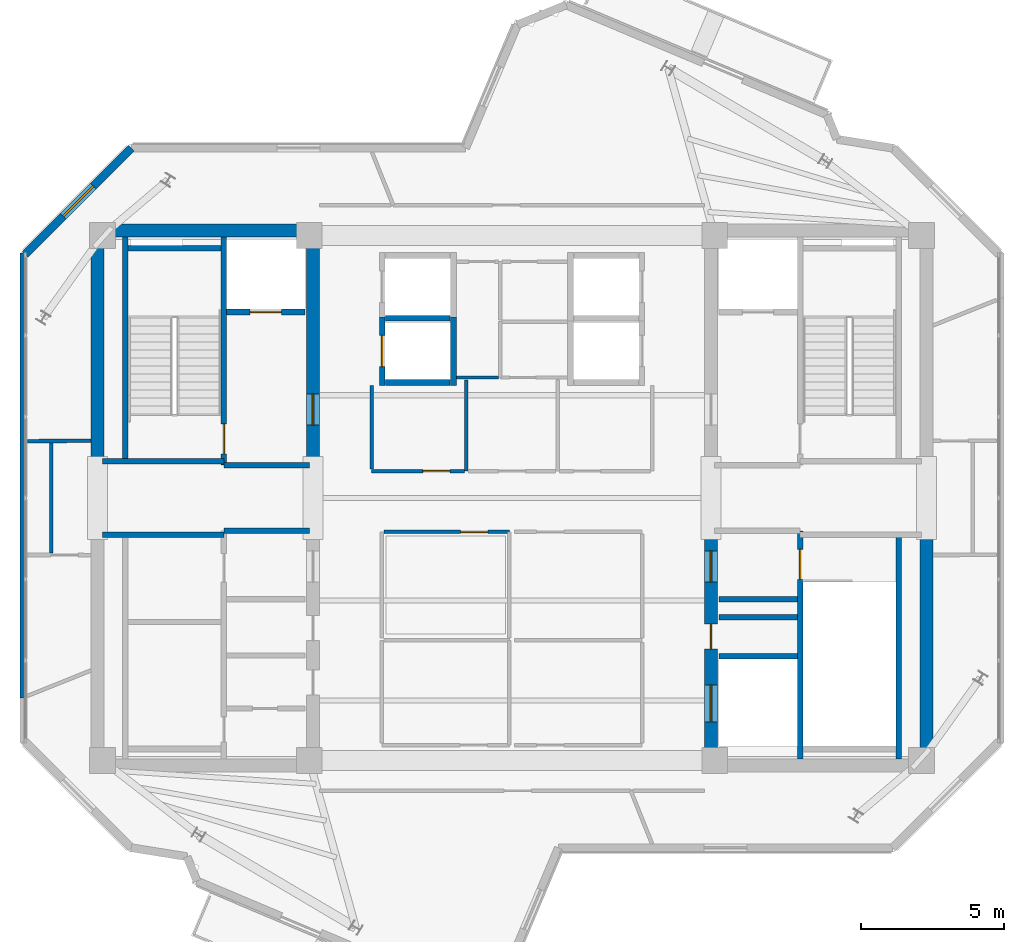
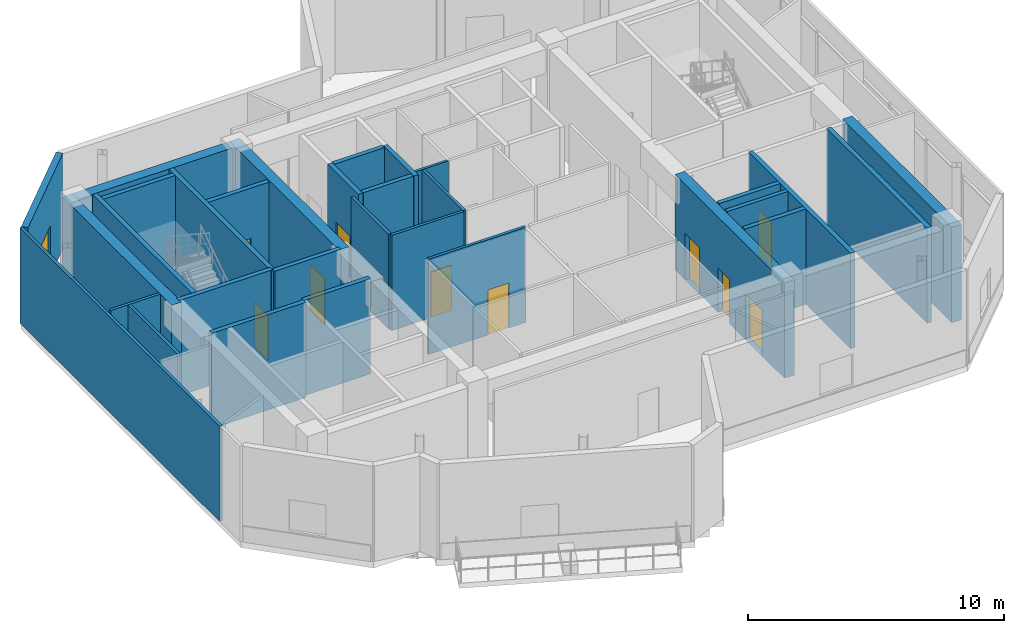
# One storey, part 7 of 11: 31 walls, 10 doors, 1 window, 11 openings.
"""IFC4 building model written with IfcOpenShell, lengths in metres."""

from ifc_helpers import new_model, si_unit, direction, frame, frame_2d, origin, place, context, subcontext, project, spatial, rectangle, extrude, source, transform, mapped, material, layer, layer_set, type_object, element, fill, save


model = new_model("IFC4")

# Units and contexts
model_context = context("Model", 3, precision=1e-05, world=origin(), true_north=direction((0.0, 1.0)))
body_context = subcontext(model_context, "Body", "Model", "MODEL_VIEW")
ifc_project = project(units=[si_unit("LENGTHUNIT", "METRE"), si_unit("AREAUNIT", "SQUARE_METRE"), si_unit("VOLUMEUNIT", "CUBIC_METRE"), si_unit("PLANEANGLEUNIT", "RADIAN"), si_unit("MASSUNIT", "GRAM", prefix="KILO")], contexts=[model_context])

# Site, building, storey
site_placement = place(None, origin())
site = spatial("IfcSite", under=ifc_project, at=site_placement, CompositionType="ELEMENT")
building_placement = place(site_placement, origin())
building = spatial("IfcBuilding", under=site, at=building_placement, Name="Zahravan Cultural Tower", CompositionType="ELEMENT")
storey_placement = place(building_placement, frame((0.0, 0.0, 365.85009765625)))
storey = spatial("IfcBuildingStorey", under=building, at=storey_placement, Name="L89", CompositionType="ELEMENT", Elevation=365.85009765625)

# Wall, opening, door
ifc_material_1 = material(Name="Concrete C50/60", Category="concrete")
ifc_layer_1 = layer(ifc_material_1, 0.449951171875)
ifc_layer_set_1 = layer_set([ifc_layer_1], Name="Concrete C50/60")
wall_type_1 = type_object("IfcWallType", Name="CW-SHEAR-450-C50", PredefinedType="SHEAR", material=ifc_layer_set_1)
wall_1_placement = place(storey_placement, frame((29.02490234375, 28.050048828125, 0.0), z_axis=(0.0, 0.0, 1.0), x_axis=(0.0, 1.0, 0.0)))
wall_1 = element("IfcWall", 1, at=wall_1_placement, inside=storey, type_object=wall_type_1, Name="L89 Core Shear Wall CW-W-EN-L89", PredefinedType="SHEAR", context=body_context, shape_type="SweptSolid", body=[
    extrude(rectangle(XDim=8.550048828125, YDim=0.449951171875, at=frame_2d((4.27490234375, 0.0))), origin(), (0.0, 0.0, 1.0), 4.5498046875),
])
opening_1_placement = place(wall_1_placement, frame((1.5, 0.0, 0.0)))
opening_1 = element("IfcOpeningElement", 2, at=opening_1_placement, cuts=wall_1, Name="Opening D-L89-06", PredefinedType="OPENING", context=body_context, shape_type="SweptSolid", body=[
    extrude(rectangle(XDim=1.10009765625, YDim=2.199951171875, at=frame_2d((0.550048828125, 1.10009765625))), frame((0.0, 0.23486328125, 0.0), z_axis=(0.0, -1.0, 0.0), x_axis=(1.0, 0.0, 0.0)), (0.0, 0.0, 1.0), 0.469970703125),
])
ifc_material_2 = material(Name="Steel ASTM A572 Grade 50", Category="steel")
door_type_1 = type_object("IfcDoorType", Name="DR-LOBBY-1100", OperationType="NOTDEFINED", PredefinedType="DOOR", material=ifc_material_2)
shared_shape_1 = source(origin(), body_context, "Body", "SweptSolid", [
    extrude(rectangle(XDim=1.10009765625, YDim=2.199951171875, at=frame_2d((0.550048828125, 1.10009765625))), frame((0.0, 0.02490234375, 0.0), z_axis=(0.0, -1.0, 0.0), x_axis=(1.0, 0.0, 0.0)), (0.0, 0.0, 1.0), 0.050048828125),
])
door_1_placement = place(opening_1_placement, origin())
door_1 = element("IfcDoor", 3, at=door_1_placement, inside=storey, type_object=door_type_1, Name="L89 Door D-L89-06", OperationType="SINGLE_SWING_LEFT", OverallHeight=2.199951171875, OverallWidth=1.10009765625, PredefinedType="DOOR", context=body_context, shape_type="MappedRepresentation", body=[
    mapped(shared_shape_1, transform((0.0, 0.0, 0.0), x_axis=(1.0, 0.0, 0.0), y_axis=(0.0, 1.0, 0.0), z_axis=(0.0, 0.0, 1.0), scale=1.0)),
])
fill(opening_1, door_1)

# Wall, openings, doors
wall_2_placement = place(storey_placement, frame((42.97509765625, 17.39990234375, 0.0), z_axis=(0.0, 0.0, 1.0), x_axis=(0.0, 1.0, 0.0)))
wall_2 = element("IfcWall", 4, at=wall_2_placement, inside=storey, type_object=wall_type_1, Name="L89 Core Shear Wall CW-E-WS-L89", PredefinedType="SHEAR", context=body_context, shape_type="SweptSolid", body=[
    extrude(rectangle(XDim=8.550048828125, YDim=0.449951171875, at=frame_2d((4.27490234375, 0.0))), origin(), (0.0, 0.0, 1.0), 4.5498046875),
])
opening_2_placement = place(wall_2_placement, frame((6.64990234375, 0.0, 0.0)))
opening_2 = element("IfcOpeningElement", 5, at=opening_2_placement, cuts=wall_2, Name="Opening D-L89-09", PredefinedType="OPENING", context=body_context, shape_type="SweptSolid", body=[
    extrude(rectangle(XDim=1.10009765625, YDim=2.199951171875, at=frame_2d((0.550048828125, 1.10009765625))), frame((0.0, 0.23486328125, 0.0), z_axis=(0.0, -1.0, 0.0), x_axis=(1.0, 0.0, 0.0)), (0.0, 0.0, 1.0), 0.469970703125),
])
opening_3_placement = place(wall_2_placement, frame((1.75, 0.0, 0.0)))
opening_3 = element("IfcOpeningElement", 6, at=opening_3_placement, cuts=wall_2, Name="Opening LD-L89-03", PredefinedType="OPENING", context=body_context, shape_type="SweptSolid", body=[
    extrude(rectangle(XDim=1.300048828125, YDim=2.199951171875, at=frame_2d((0.64990234375, 1.10009765625))), frame((0.0, 0.23486328125, 0.0), z_axis=(0.0, -1.0, 0.0), x_axis=(1.0, 0.0, 0.0)), (0.0, 0.0, 1.0), 0.469970703125),
])
opening_4_placement = place(wall_2_placement, frame((4.300048828125, 0.0, 0.0)))
opening_4 = element("IfcOpeningElement", 7, at=opening_4_placement, cuts=wall_2, Name="Opening D-L89-13", PredefinedType="OPENING", context=body_context, shape_type="SweptSolid", body=[
    extrude(rectangle(XDim=0.8798828125, YDim=2.10009765625, at=frame_2d((0.43994140625, 1.050048828125))), frame((0.0, 0.23486328125, 0.0), z_axis=(0.0, -1.0, 0.0), x_axis=(1.0, 0.0, 0.0)), (0.0, 0.0, 1.0), 0.469970703125),
])
door_2_placement = place(opening_2_placement, origin())
door_2 = element("IfcDoor", 8, at=door_2_placement, inside=storey, type_object=door_type_1, Name="L89 Door D-L89-09", OperationType="SINGLE_SWING_RIGHT", OverallHeight=2.199951171875, OverallWidth=1.10009765625, PredefinedType="DOOR", context=body_context, shape_type="MappedRepresentation", body=[
    mapped(shared_shape_1, transform((0.0, 0.0, 0.0), x_axis=(1.0, 0.0, 0.0), y_axis=(0.0, 1.0, 0.0), z_axis=(0.0, 0.0, 1.0), scale=1.0)),
])
fill(opening_2, door_2)
door_type_2 = type_object("IfcDoorType", Name="DR-LIFT-1300", OperationType="DOUBLE_DOOR_SLIDING", PredefinedType="DOOR", material=ifc_material_2)
shared_shape_2 = source(origin(), body_context, "Body", "SweptSolid", [
    extrude(rectangle(XDim=1.300048828125, YDim=2.199951171875, at=frame_2d((0.64990234375, 1.10009765625))), frame((0.0, 0.02490234375, 0.0), z_axis=(0.0, -1.0, 0.0), x_axis=(1.0, 0.0, 0.0)), (0.0, 0.0, 1.0), 0.050048828125),
])
door_3_placement = place(opening_3_placement, origin())
door_3 = element("IfcDoor", 9, at=door_3_placement, inside=storey, type_object=door_type_2, Name="L89 Door LD-L89-03", OperationType="DOUBLE_DOOR_SLIDING", OverallHeight=2.199951171875, OverallWidth=1.300048828125, PredefinedType="DOOR", context=body_context, shape_type="MappedRepresentation", body=[
    mapped(shared_shape_2, transform((0.0, 0.0, 0.0), x_axis=(1.0, 0.0, 0.0), y_axis=(0.0, 1.0, 0.0), z_axis=(0.0, 0.0, 1.0), scale=1.0)),
])
fill(opening_3, door_3)
door_type_3 = type_object("IfcDoorType", Name="DR-SVC-880", OperationType="NOTDEFINED", PredefinedType="DOOR", material=ifc_material_2)
shared_shape_3 = source(origin(), body_context, "Body", "SweptSolid", [
    extrude(rectangle(XDim=0.8798828125, YDim=2.10009765625, at=frame_2d((0.43994140625, 1.050048828125))), frame((0.0, 0.02490234375, 0.0), z_axis=(0.0, -1.0, 0.0), x_axis=(1.0, 0.0, 0.0)), (0.0, 0.0, 1.0), 0.050048828125),
])
door_4_placement = place(opening_4_placement, origin())
door_4 = element("IfcDoor", 10, at=door_4_placement, inside=storey, type_object=door_type_3, Name="L89 Door D-L89-13", OperationType="SINGLE_SWING_RIGHT", OverallHeight=2.10009765625, OverallWidth=0.8798828125, PredefinedType="DOOR", context=body_context, shape_type="MappedRepresentation", body=[
    mapped(shared_shape_3, transform((0.0, 0.0, 0.0), x_axis=(1.0, 0.0, 0.0), y_axis=(0.0, 1.0, 0.0), z_axis=(0.0, 0.0, 1.0), scale=1.0)),
])
fill(opening_4, door_4)

# Wall, opening, window
ifc_material_3 = material(Name="Precast concrete C40/50", Category="concrete")
ifc_layer_2 = layer(ifc_material_3, 0.280029296875)
ifc_layer_set_2 = layer_set([ifc_layer_2], Name="Precast concrete C40/50")
wall_type_2 = type_object("IfcWallType", Name="EW-TC-280", PredefinedType="SOLIDWALL", material=ifc_layer_set_2)
wall_3_placement = place(storey_placement, frame((18.93994140625, 35.5419921875, 0.0), z_axis=(0.0, 0.0, 1.0), x_axis=(0.707106781187, 0.707106781187, 0.0)))
wall_3 = element("IfcWall", 11, at=wall_3_placement, inside=storey, type_object=wall_type_2, Name="L89 Exterior Masonry Frame Wall 15", PredefinedType="SOLIDWALL", context=body_context, shape_type="SweptSolid", body=[
    extrude(rectangle(XDim=5.258056640625, YDim=0.280029296875, at=frame_2d((2.62890625, 0.0))), origin(), (0.0, 0.0, 1.0), 4.5498046875),
])
opening_5_placement = place(wall_3_placement, frame((1.87890625, 0.0, 0.85009765625)))
opening_5 = element("IfcOpeningElement", 12, at=opening_5_placement, cuts=wall_3, Name="Opening WN-03", PredefinedType="OPENING", context=body_context, shape_type="SweptSolid", body=[
    extrude(rectangle(XDim=1.5, YDim=1.5, at=frame_2d((0.75, 0.75))), frame((0.0, 0.14990234375, 0.0), z_axis=(0.0, -1.0, 0.0), x_axis=(1.0, 0.0, 0.0)), (0.0, 0.0, 1.0), 0.300048828125),
])
ifc_material_4 = material(Name="Low-E solar-control double glazing", Category="glass")
window_type = type_object("IfcWindowType", Name="WN-REC-1500X1500", PartitioningType="SINGLE_PANEL", PredefinedType="WINDOW", material=ifc_material_4)
shared_shape_4 = source(origin(), body_context, "Body", "SweptSolid", [
    extrude(rectangle(XDim=1.5, YDim=1.5, at=frame_2d((0.75, 0.75))), frame((0.0, 0.030029296875, 0.0), z_axis=(0.0, -1.0, 0.0), x_axis=(1.0, 0.0, 0.0)), (0.0, 0.0, 1.0), 0.06005859375),
])
window_placement = place(opening_5_placement, origin())
window = element("IfcWindow", 13, at=window_placement, inside=storey, type_object=window_type, Name="L89 Recessed Solar Window 07", OverallHeight=1.5, OverallWidth=1.5, PartitioningType="SINGLE_PANEL", PredefinedType="WINDOW", context=body_context, shape_type="MappedRepresentation", body=[
    mapped(shared_shape_4, transform((0.0, 0.0, 0.0), x_axis=(1.0, 0.0, 0.0), y_axis=(0.0, 1.0, 0.0), z_axis=(0.0, 0.0, 1.0), scale=1.0)),
])
fill(opening_5, window)

# Wall, opening, door
ifc_material_5 = material(Name="Gypsum plasterboard partition")
ifc_layer_3 = layer(ifc_material_5, 0.125)
ifc_layer_set_3 = layer_set([ifc_layer_3], Name="Gypsum plasterboard partition")
wall_type_3 = type_object("IfcWallType", Name="W-PART-125", PredefinedType="PARTITIONING", material=ifc_layer_set_3)
wall_4_placement = place(storey_placement, frame((34.33251953125, 27.93994140625, 0.0), z_axis=(0.0, 0.0, 1.0), x_axis=(-1.0, 0.0, 0.0)))
wall_4 = element("IfcWall", 14, at=wall_4_placement, inside=storey, type_object=wall_type_3, Name="L89 Interior Wall 054", PredefinedType="PARTITIONING", context=body_context, shape_type="SweptSolid", body=[
    extrude(rectangle(XDim=3.25244140625, YDim=0.125, at=frame_2d((1.626220703125, 0.0))), origin(), (0.0, 0.0, 1.0), 4.5498046875),
])
opening_6_placement = place(wall_4_placement, frame((0.506591796875, 0.0, 0.0)))
opening_6 = element("IfcOpeningElement", 15, at=opening_6_placement, cuts=wall_4, Name="Opening D-L89-20", PredefinedType="OPENING", context=body_context, shape_type="SweptSolid", body=[
    extrude(rectangle(XDim=0.949951171875, YDim=2.14990234375, at=frame_2d((0.47509765625, 1.074951171875))), frame((0.0, 0.072509765625, 0.0), z_axis=(0.0, -1.0, 0.0), x_axis=(1.0, 0.0, 0.0)), (0.0, 0.0, 1.0), 0.14501953125),
])
ifc_material_6 = material(Name="Anodised bronze-aluminium mullion", Category="aluminium")
door_type_4 = type_object("IfcDoorType", Name="DR-ROOM-950", OperationType="NOTDEFINED", PredefinedType="DOOR", material=ifc_material_6)
shared_shape_5 = source(origin(), body_context, "Body", "SweptSolid", [
    extrude(rectangle(XDim=0.949951171875, YDim=2.14990234375, at=frame_2d((0.47509765625, 1.074951171875))), frame((0.0, 0.02490234375, 0.0), z_axis=(0.0, -1.0, 0.0), x_axis=(1.0, 0.0, 0.0)), (0.0, 0.0, 1.0), 0.050048828125),
])
door_5_placement = place(opening_6_placement, origin())
door_5 = element("IfcDoor", 16, at=door_5_placement, inside=storey, type_object=door_type_4, Name="L89 Door D-L89-20", OperationType="SINGLE_SWING_LEFT", OverallHeight=2.14990234375, OverallWidth=0.949951171875, PredefinedType="DOOR", context=body_context, shape_type="MappedRepresentation", body=[
    mapped(shared_shape_5, transform((0.0, 0.0, 0.0), x_axis=(1.0, 0.0, 0.0), y_axis=(0.0, 1.0, 0.0), z_axis=(0.0, 0.0, 1.0), scale=1.0)),
])
fill(opening_6, door_5)

wall_5_placement = place(storey_placement, frame((31.507568359375, 25.81005859375, 0.0), z_axis=(0.0, 0.0, 1.0), x_axis=(1.0, 0.0, 0.0)))
wall_5 = element("IfcWall", 17, at=wall_5_placement, inside=storey, type_object=wall_type_3, Name="L89 Interior Wall 066", PredefinedType="PARTITIONING", context=body_context, shape_type="SweptSolid", body=[
    extrude(rectangle(XDim=4.40234375, YDim=0.125, at=frame_2d((2.201171875, 0.0))), origin(), (0.0, 0.0, 1.0), 4.5498046875),
])
opening_7_placement = place(wall_5_placement, frame((2.69287109375, 0.0, 0.0)))
opening_7 = element("IfcOpeningElement", 18, at=opening_7_placement, cuts=wall_5, Name="Opening D-L89-15", PredefinedType="OPENING", context=body_context, shape_type="SweptSolid", body=[
    extrude(rectangle(XDim=0.949951171875, YDim=2.14990234375, at=frame_2d((0.47509765625, 1.074951171875))), frame((0.0, 0.072509765625, 0.0), z_axis=(0.0, -1.0, 0.0), x_axis=(1.0, 0.0, 0.0)), (0.0, 0.0, 1.0), 0.14501953125),
])
door_6_placement = place(opening_7_placement, origin())
door_6 = element("IfcDoor", 19, at=door_6_placement, inside=storey, type_object=door_type_4, Name="L89 Door D-L89-15", OperationType="SINGLE_SWING_RIGHT", OverallHeight=2.14990234375, OverallWidth=0.949951171875, PredefinedType="DOOR", context=body_context, shape_type="MappedRepresentation", body=[
    mapped(shared_shape_5, transform((0.0, 0.0, 0.0), x_axis=(1.0, 0.0, 0.0), y_axis=(0.0, 1.0, 0.0), z_axis=(0.0, 0.0, 1.0), scale=1.0)),
])
fill(opening_7, door_6)

ifc_material_7 = material(Name="Concrete C45/55", Category="concrete")
ifc_layer_4 = layer(ifc_material_7, 0.199951171875)
ifc_layer_set_4 = layer_set([ifc_layer_4], Name="Concrete C45/55")
wall_type_4 = type_object("IfcWallType", Name="W-SHAFT-200", PredefinedType="SOLIDWALL", material=ifc_layer_set_4)
wall_6_placement = place(storey_placement, frame((25.89990234375, 28.14990234375, 0.0), z_axis=(0.0, 0.0, 1.0), x_axis=(0.0, 1.0, 0.0)))
wall_6 = element("IfcWall", 20, at=wall_6_placement, inside=storey, type_object=wall_type_4, Name="L89 Interior Wall 006", PredefinedType="SOLIDWALL", context=body_context, shape_type="SweptSolid", body=[
    extrude(rectangle(XDim=8.0, YDim=0.199951171875, at=frame_2d((4.0, 0.0))), origin(), (0.0, 0.0, 1.0), 4.5498046875),
])
opening_8_placement = place(wall_6_placement, frame((0.39990234375, 0.0, 0.0)))
opening_8 = element("IfcOpeningElement", 21, at=opening_8_placement, cuts=wall_6, Name="Opening D-L89-01", PredefinedType="OPENING", context=body_context, shape_type="SweptSolid", body=[
    extrude(rectangle(XDim=1.050048828125, YDim=2.14990234375, at=frame_2d((0.52490234375, 1.074951171875))), frame((0.0, 0.10986328125, 0.0), z_axis=(0.0, -1.0, 0.0), x_axis=(1.0, 0.0, 0.0)), (0.0, 0.0, 1.0), 0.219970703125),
])
door_type_5 = type_object("IfcDoorType", Name="DR-STAIR-1050", OperationType="NOTDEFINED", PredefinedType="DOOR", material=ifc_material_2)
shared_shape_6 = source(origin(), body_context, "Body", "SweptSolid", [
    extrude(rectangle(XDim=1.050048828125, YDim=2.14990234375, at=frame_2d((0.52490234375, 1.074951171875))), frame((0.0, 0.02490234375, 0.0), z_axis=(0.0, -1.0, 0.0), x_axis=(1.0, 0.0, 0.0)), (0.0, 0.0, 1.0), 0.050048828125),
])
door_7_placement = place(opening_8_placement, origin())
door_7 = element("IfcDoor", 22, at=door_7_placement, inside=storey, type_object=door_type_5, Name="L89 Door D-L89-01", OperationType="SINGLE_SWING_RIGHT", OverallHeight=2.14990234375, OverallWidth=1.050048828125, PredefinedType="DOOR", context=body_context, shape_type="MappedRepresentation", body=[
    mapped(shared_shape_6, transform((0.0, 0.0, 0.0), x_axis=(1.0, 0.0, 0.0), y_axis=(0.0, 1.0, 0.0), z_axis=(0.0, 0.0, 1.0), scale=1.0)),
])
fill(opening_8, door_7)

wall_7_placement = place(storey_placement, frame((46.10009765625, 17.85009765625, 0.0), z_axis=(0.0, 0.0, 1.0), x_axis=(0.0, 1.0, 0.0)))
wall_7 = element("IfcWall", 23, at=wall_7_placement, inside=storey, type_object=wall_type_4, Name="L89 Interior Wall 007", PredefinedType="SOLIDWALL", context=body_context, shape_type="SweptSolid", body=[
    extrude(rectangle(XDim=8.0, YDim=0.199951171875, at=frame_2d((4.0, 0.0))), origin(), (0.0, 0.0, 1.0), 4.5498046875),
])
opening_9_placement = place(wall_7_placement, frame((6.300048828125, 0.0, 0.0)))
opening_9 = element("IfcOpeningElement", 24, at=opening_9_placement, cuts=wall_7, Name="Opening D-L89-03", PredefinedType="OPENING", context=body_context, shape_type="SweptSolid", body=[
    extrude(rectangle(XDim=1.050048828125, YDim=2.14990234375, at=frame_2d((0.52490234375, 1.074951171875))), frame((0.0, 0.10986328125, 0.0), z_axis=(0.0, -1.0, 0.0), x_axis=(1.0, 0.0, 0.0)), (0.0, 0.0, 1.0), 0.219970703125),
])
door_8_placement = place(opening_9_placement, origin())
door_8 = element("IfcDoor", 25, at=door_8_placement, inside=storey, type_object=door_type_5, Name="L89 Door D-L89-03", OperationType="SINGLE_SWING_RIGHT", OverallHeight=2.14990234375, OverallWidth=1.050048828125, PredefinedType="DOOR", context=body_context, shape_type="MappedRepresentation", body=[
    mapped(shared_shape_6, transform((0.0, 0.0, 0.0), x_axis=(1.0, 0.0, 0.0), y_axis=(0.0, 1.0, 0.0), z_axis=(0.0, 0.0, 1.0), scale=1.0)),
])
fill(opening_9, door_8)

wall_8_placement = place(storey_placement, frame((26.0, 33.52001953125, 0.0), z_axis=(0.0, 0.0, 1.0), x_axis=(1.0, 0.0, 0.0)))
wall_8 = element("IfcWall", 26, at=wall_8_placement, inside=storey, type_object=wall_type_4, Name="L89 Interior Wall 022", PredefinedType="SOLIDWALL", context=body_context, shape_type="SweptSolid", body=[
    extrude(rectangle(XDim=2.75, YDim=0.199951171875, at=frame_2d((1.375, 0.0))), origin(), (0.0, 0.0, 1.0), 4.5498046875),
])
opening_10_placement = place(wall_8_placement, frame((0.820068359375, 0.0, 0.0)))
opening_10 = element("IfcOpeningElement", 27, at=opening_10_placement, cuts=wall_8, Name="Opening LD-L89-01", PredefinedType="OPENING", context=body_context, shape_type="SweptSolid", body=[
    extrude(rectangle(XDim=1.10009765625, YDim=2.14990234375, at=frame_2d((0.550048828125, 1.074951171875))), frame((0.0, 0.10986328125, 0.0), z_axis=(0.0, -1.0, 0.0), x_axis=(1.0, 0.0, 0.0)), (0.0, 0.0, 1.0), 0.219970703125),
])
door_type_6 = type_object("IfcDoorType", Name="DR-LIFT-1100", OperationType="DOUBLE_DOOR_SLIDING", PredefinedType="DOOR", material=ifc_material_2)
shared_shape_7 = source(origin(), body_context, "Body", "SweptSolid", [
    extrude(rectangle(XDim=1.10009765625, YDim=2.14990234375, at=frame_2d((0.550048828125, 1.074951171875))), frame((0.0, 0.02490234375, 0.0), z_axis=(0.0, -1.0, 0.0), x_axis=(1.0, 0.0, 0.0)), (0.0, 0.0, 1.0), 0.050048828125),
])
door_9_placement = place(opening_10_placement, origin())
door_9 = element("IfcDoor", 28, at=door_9_placement, inside=storey, type_object=door_type_6, Name="L89 Door LD-L89-01", OperationType="DOUBLE_DOOR_SLIDING", OverallHeight=2.14990234375, OverallWidth=1.10009765625, PredefinedType="DOOR", context=body_context, shape_type="MappedRepresentation", body=[
    mapped(shared_shape_7, transform((0.0, 0.0, 0.0), x_axis=(1.0, 0.0, 0.0), y_axis=(0.0, 1.0, 0.0), z_axis=(0.0, 0.0, 1.0), scale=1.0)),
])
fill(opening_10, door_9)

wall_9_placement = place(storey_placement, frame((31.449951171875, 30.949951171875, 0.0), z_axis=(0.0, 0.0, 1.0), x_axis=(0.0, 1.0, 0.0)))
wall_9 = element("IfcWall", 29, at=wall_9_placement, inside=storey, type_object=wall_type_4, Name="L89 Interior Wall 034", PredefinedType="SOLIDWALL", context=body_context, shape_type="SweptSolid", body=[
    extrude(rectangle(XDim=2.400146484375, YDim=0.199951171875, at=frame_2d((1.2001953125, 0.0))), origin(), (0.0, 0.0, 1.0), 4.5498046875),
])
opening_11_placement = place(wall_9_placement, frame((0.64990234375, 0.0, 0.0)))
opening_11 = element("IfcOpeningElement", 30, at=opening_11_placement, cuts=wall_9, Name="Opening LD-L89-05", PredefinedType="OPENING", context=body_context, shape_type="SweptSolid", body=[
    extrude(rectangle(XDim=1.10009765625, YDim=2.14990234375, at=frame_2d((0.550048828125, 1.074951171875))), frame((0.0, 0.10986328125, 0.0), z_axis=(0.0, -1.0, 0.0), x_axis=(1.0, 0.0, 0.0)), (0.0, 0.0, 1.0), 0.219970703125),
])
door_10_placement = place(opening_11_placement, origin())
door_10 = element("IfcDoor", 31, at=door_10_placement, inside=storey, type_object=door_type_6, Name="L89 Door LD-L89-05", OperationType="DOUBLE_DOOR_SLIDING", OverallHeight=2.14990234375, OverallWidth=1.10009765625, PredefinedType="DOOR", context=body_context, shape_type="MappedRepresentation", body=[
    mapped(shared_shape_7, transform((0.0, 0.0, 0.0), x_axis=(1.0, 0.0, 0.0), y_axis=(0.0, 1.0, 0.0), z_axis=(0.0, 0.0, 1.0), scale=1.0)),
])
fill(opening_11, door_10)

# Walls
shared_shape_8 = source(origin(), body_context, "Body", "SweptSolid", [
    extrude(rectangle(XDim=8.550048828125, YDim=0.449951171875, at=frame_2d((4.27490234375, 0.0))), origin(), (0.0, 0.0, 1.0), 4.5498046875),
])
for number, where, z_axis, x_axis, name in (
    (32, (21.47509765625, 28.050048828125, 0.0), (0.0, 0.0, 1.0), (0.0, 1.0, 0.0), "L89 Core Shear Wall CW-W-WN-L89"),
    (33, (50.52490234375, 17.39990234375, 0.0), (0.0, 0.0, 1.0), (0.0, 1.0, 0.0), "L89 Core Shear Wall CW-E-ES-L89"),
):
    element("IfcWall", number, at=place(storey_placement, frame(where, z_axis=z_axis, x_axis=x_axis)), inside=storey, type_object=wall_type_1, Name=name, PredefinedType="SHEAR", context=body_context, shape_type="MappedRepresentation", body=[
        mapped(shared_shape_8, transform((0.0, 0.0, 0.0), x_axis=(1.0, 0.0, 0.0), y_axis=(0.0, 1.0, 0.0), z_axis=(0.0, 0.0, 1.0), scale=1.0)),
    ])
shared_shape_9 = source(origin(), body_context, "Body", "SweptSolid", [
    extrude(rectangle(XDim=7.10009765625, YDim=0.449951171875, at=frame_2d((3.550048828125, 0.0))), origin(), (0.0, 0.0, 1.0), 4.5498046875),
])
wall_10_placement = place(storey_placement, frame((21.699951171875, 36.375, 0.0), z_axis=(0.0, 0.0, 1.0), x_axis=(1.0, 0.0, 0.0)))
element("IfcWall", 34, at=wall_10_placement, inside=storey, type_object=wall_type_1, Name="L89 Core Shear Wall CW-W-N-L89", PredefinedType="SHEAR", context=body_context, shape_type="MappedRepresentation", body=[
    mapped(shared_shape_9, transform((0.0, 0.0, 0.0), x_axis=(1.0, 0.0, 0.0), y_axis=(0.0, 1.0, 0.0), z_axis=(0.0, 0.0, 1.0), scale=1.0)),
])
shared_shape_10 = source(origin(), body_context, "Body", "SweptSolid", [
    extrude(rectangle(XDim=7.869873046875, YDim=0.199951171875, at=frame_2d((3.93505859375, 0.0))), origin(), (0.0, 0.0, 1.0), 4.5498046875),
])
for number, where, z_axis, x_axis, name in (
    (35, (22.449951171875, 28.280029296875, 0.0), (0.0, 0.0, 1.0), (0.0, 1.0, 0.0), "L89 Interior Wall 002"),
    (36, (49.550048828125, 17.85009765625, 0.0), (0.0, 0.0, 1.0), (0.0, 1.0, 0.0), "L89 Interior Wall 003"),
):
    element("IfcWall", number, at=place(storey_placement, frame(where, z_axis=z_axis, x_axis=x_axis)), inside=storey, type_object=wall_type_4, Name=name, PredefinedType="SOLIDWALL", context=body_context, shape_type="MappedRepresentation", body=[
        mapped(shared_shape_10, transform((0.0, 0.0, 0.0), x_axis=(1.0, 0.0, 0.0), y_axis=(0.0, 1.0, 0.0), z_axis=(0.0, 0.0, 1.0), scale=1.0)),
    ])
shared_shape_11 = source(origin(), body_context, "Body", "SweptSolid", [
    extrude(rectangle(XDim=4.25, YDim=0.199951171875, at=frame_2d((2.125, 0.0))), origin(), (0.0, 0.0, 1.0), 4.5498046875),
])
for number, where, z_axis, x_axis, name in (
    (37, (21.64990234375, 25.715087890625, 0.0), (0.0, 0.0, 1.0), (1.0, 0.0, 0.0), "L89 Interior Wall 009"),
    (38, (21.64990234375, 28.284912109375, 0.0), (0.0, 0.0, 1.0), (1.0, 0.0, 0.0), "L89 Interior Wall 011"),
):
    element("IfcWall", number, at=place(storey_placement, frame(where, z_axis=z_axis, x_axis=x_axis)), inside=storey, type_object=wall_type_4, Name=name, PredefinedType="SOLIDWALL", context=body_context, shape_type="MappedRepresentation", body=[
        mapped(shared_shape_11, transform((0.0, 0.0, 0.0), x_axis=(1.0, 0.0, 0.0), y_axis=(0.0, 1.0, 0.0), z_axis=(0.0, 0.0, 1.0), scale=1.0)),
    ])
shared_shape_12 = source(origin(), body_context, "Body", "SweptSolid", [
    extrude(rectangle(XDim=3.0, YDim=0.199951171875, at=frame_2d((1.5, 0.0))), origin(), (0.0, 0.0, 1.0), 4.5498046875),
])
for number, where, z_axis, x_axis, name in (
    (39, (25.89990234375, 25.85009765625, 0.0), (0.0, 0.0, 1.0), (1.0, 0.0, 0.0), "L89 Interior Wall 010"),
    (40, (25.89990234375, 28.14990234375, 0.0), (0.0, 0.0, 1.0), (1.0, 0.0, 0.0), "L89 Interior Wall 012"),
):
    element("IfcWall", number, at=place(storey_placement, frame(where, z_axis=z_axis, x_axis=x_axis)), inside=storey, type_object=wall_type_4, Name=name, PredefinedType="SOLIDWALL", context=body_context, shape_type="MappedRepresentation", body=[
        mapped(shared_shape_12, transform((0.0, 0.0, 0.0), x_axis=(1.0, 0.0, 0.0), y_axis=(0.0, 1.0, 0.0), z_axis=(0.0, 0.0, 1.0), scale=1.0)),
    ])
shared_shape_13 = source(origin(), body_context, "Body", "SweptSolid", [
    extrude(rectangle(XDim=3.25, YDim=0.199951171875, at=frame_2d((1.625, 0.0))), origin(), (0.0, 0.0, 1.0), 4.5498046875),
])
wall_11_placement = place(storey_placement, frame((22.550048828125, 35.75, 0.0), z_axis=(0.0, 0.0, 1.0), x_axis=(1.0, 0.0, 0.0)))
element("IfcWall", 41, at=wall_11_placement, inside=storey, type_object=wall_type_4, Name="L89 Interior Wall 017", PredefinedType="SOLIDWALL", context=body_context, shape_type="MappedRepresentation", body=[
    mapped(shared_shape_13, transform((0.0, 0.0, 0.0), x_axis=(1.0, 0.0, 0.0), y_axis=(0.0, 1.0, 0.0), z_axis=(0.0, 0.0, 1.0), scale=1.0)),
])
shared_shape_14 = source(origin(), body_context, "Body", "SweptSolid", [
    extrude(rectangle(XDim=2.75, YDim=0.199951171875, at=frame_2d((1.375, 0.0))), origin(), (0.0, 0.0, 1.0), 4.5498046875),
])
for number, where, z_axis, x_axis, name in (
    (42, (43.25, 23.449951171875, 0.0), (0.0, 0.0, 1.0), (1.0, 0.0, 0.0), "L89 Interior Wall 025"),
    (43, (43.25, 21.449951171875, 0.0), (0.0, 0.0, 1.0), (1.0, 0.0, 0.0), "L89 Interior Wall 026"),
):
    element("IfcWall", number, at=place(storey_placement, frame(where, z_axis=z_axis, x_axis=x_axis)), inside=storey, type_object=wall_type_4, Name=name, PredefinedType="SOLIDWALL", context=body_context, shape_type="MappedRepresentation", body=[
        mapped(shared_shape_14, transform((0.0, 0.0, 0.0), x_axis=(1.0, 0.0, 0.0), y_axis=(0.0, 1.0, 0.0), z_axis=(0.0, 0.0, 1.0), scale=1.0)),
    ])
ifc_layer_5 = layer(ifc_material_5, 0.179931640625)
ifc_layer_set_5 = layer_set([ifc_layer_5], Name="Gypsum plasterboard partition")
wall_type_5 = type_object("IfcWallType", Name="W-COMP-180", PredefinedType="PARTITIONING", material=ifc_layer_set_5)
shared_shape_15 = source(origin(), body_context, "Body", "SweptSolid", [
    extrude(rectangle(XDim=2.75, YDim=0.179931640625, at=frame_2d((1.375, 0.0))), origin(), (0.0, 0.0, 1.0), 4.5498046875),
])
wall_12_placement = place(storey_placement, frame((43.25, 22.820068359375, 0.0), z_axis=(0.0, 0.0, 1.0), x_axis=(1.0, 0.0, 0.0)))
element("IfcWall", 44, at=wall_12_placement, inside=storey, type_object=wall_type_5, Name="L89 Interior Wall 029", PredefinedType="PARTITIONING", context=body_context, shape_type="MappedRepresentation", body=[
    mapped(shared_shape_15, transform((0.0, 0.0, 0.0), x_axis=(1.0, 0.0, 0.0), y_axis=(0.0, 1.0, 0.0), z_axis=(0.0, 0.0, 1.0), scale=1.0)),
])
shared_shape_16 = source(origin(), body_context, "Body", "SweptSolid", [
    extrude(rectangle(XDim=2.400146484375, YDim=0.199951171875, at=frame_2d((1.2001953125, 0.0))), origin(), (0.0, 0.0, 1.0), 4.5498046875),
])
wall_13_placement = place(storey_placement, frame((33.949951171875, 30.949951171875, 0.0), z_axis=(0.0, 0.0, 1.0), x_axis=(0.0, 1.0, 0.0)))
element("IfcWall", 45, at=wall_13_placement, inside=storey, type_object=wall_type_4, Name="L89 Interior Wall 035", PredefinedType="SOLIDWALL", context=body_context, shape_type="MappedRepresentation", body=[
    mapped(shared_shape_16, transform((0.0, 0.0, 0.0), x_axis=(1.0, 0.0, 0.0), y_axis=(0.0, 1.0, 0.0), z_axis=(0.0, 0.0, 1.0), scale=1.0)),
])
shared_shape_17 = source(origin(), body_context, "Body", "SweptSolid", [
    extrude(rectangle(XDim=2.260009765625, YDim=0.199951171875, at=frame_2d((1.1298828125, 0.0))), origin(), (0.0, 0.0, 1.0), 4.5498046875),
])
for number, where, z_axis, x_axis, name in (
    (46, (31.570068359375, 33.300048828125, 0.0), (0.0, 0.0, 1.0), (1.0, 0.0, 0.0), "L89 Interior Wall 032"),
    (47, (31.570068359375, 31.050048828125, 0.0), (0.0, 0.0, 1.0), (1.0, 0.0, 0.0), "L89 Interior Wall 036"),
):
    element("IfcWall", number, at=place(storey_placement, frame(where, z_axis=z_axis, x_axis=x_axis)), inside=storey, type_object=wall_type_4, Name=name, PredefinedType="SOLIDWALL", context=body_context, shape_type="MappedRepresentation", body=[
        mapped(shared_shape_17, transform((0.0, 0.0, 0.0), x_axis=(1.0, 0.0, 0.0), y_axis=(0.0, 1.0, 0.0), z_axis=(0.0, 0.0, 1.0), scale=1.0)),
    ])
ifc_layer_6 = layer(ifc_material_5, 0.114990234375)
ifc_layer_set_6 = layer_set([ifc_layer_6], Name="Gypsum plasterboard partition")
wall_type_6 = type_object("IfcWallType", Name="W-WC-115", PredefinedType="PARTITIONING", material=ifc_layer_set_6)
shared_shape_18 = source(origin(), body_context, "Body", "SweptSolid", [
    extrude(rectangle(XDim=1.47265625, YDim=0.114990234375, at=frame_2d((0.736328125, 0.0))), origin(), (0.0, 0.0, 1.0), 4.5498046875),
])
wall_14_placement = place(storey_placement, frame((35.527587890625, 31.219970703125, 0.0), z_axis=(0.0, 0.0, 1.0), x_axis=(-1.0, 0.0, 0.0)))
element("IfcWall", 48, at=wall_14_placement, inside=storey, type_object=wall_type_6, Name="L89 Interior Wall 049", PredefinedType="PARTITIONING", context=body_context, shape_type="MappedRepresentation", body=[
    mapped(shared_shape_18, transform((0.0, 0.0, 0.0), x_axis=(1.0, 0.0, 0.0), y_axis=(0.0, 1.0, 0.0), z_axis=(0.0, 0.0, 1.0), scale=1.0)),
])
shared_shape_19 = source(origin(), body_context, "Body", "SweptSolid", [
    extrude(rectangle(XDim=3.199951171875, YDim=0.125, at=frame_2d((1.60009765625, 0.0))), origin(), (0.0, 0.0, 1.0), 4.5498046875),
])
wall_15_placement = place(storey_placement, frame((34.39990234375, 27.93994140625, 0.0), z_axis=(0.0, 0.0, 1.0), x_axis=(0.0, 1.0, 0.0)))
element("IfcWall", 49, at=wall_15_placement, inside=storey, type_object=wall_type_3, Name="L89 Interior Wall 051", PredefinedType="PARTITIONING", context=body_context, shape_type="MappedRepresentation", body=[
    mapped(shared_shape_19, transform((0.0, 0.0, 0.0), x_axis=(1.0, 0.0, 0.0), y_axis=(0.0, 1.0, 0.0), z_axis=(0.0, 0.0, 1.0), scale=1.0)),
])
shared_shape_20 = source(origin(), body_context, "Body", "SweptSolid", [
    extrude(rectangle(XDim=2.9423828125, YDim=0.125, at=frame_2d((1.47119140625, 0.0))), origin(), (0.0, 0.0, 1.0), 4.5498046875),
])
wall_16_placement = place(storey_placement, frame((31.080078125, 28.007568359375, 0.0), z_axis=(0.0, 0.0, 1.0), x_axis=(0.0, 1.0, 0.0)))
element("IfcWall", 50, at=wall_16_placement, inside=storey, type_object=wall_type_3, Name="L89 Interior Wall 055", PredefinedType="PARTITIONING", context=body_context, shape_type="MappedRepresentation", body=[
    mapped(shared_shape_20, transform((0.0, 0.0, 0.0), x_axis=(1.0, 0.0, 0.0), y_axis=(0.0, 1.0, 0.0), z_axis=(0.0, 0.0, 1.0), scale=1.0)),
])
shared_shape_21 = source(origin(), body_context, "Body", "SweptSolid", [
    extrude(rectangle(XDim=15.60791015625, YDim=0.125, at=frame_2d((7.803955078125, 0.0))), origin(), (0.0, 0.0, 1.0), 4.5498046875),
])
wall_17_placement = place(storey_placement, frame((18.820068359375, 19.98388671875, 0.0), z_axis=(0.0, 0.0, 1.0), x_axis=(0.0, 1.0, 0.0)))
element("IfcWall", 51, at=wall_17_placement, inside=storey, type_object=wall_type_3, Name="L89 Interior Wall 072", PredefinedType="PARTITIONING", context=body_context, shape_type="MappedRepresentation", body=[
    mapped(shared_shape_21, transform((0.0, 0.0, 0.0), x_axis=(1.0, 0.0, 0.0), y_axis=(0.0, 1.0, 0.0), z_axis=(0.0, 0.0, 1.0), scale=1.0)),
])
shared_shape_22 = source(origin(), body_context, "Body", "SweptSolid", [
    extrude(rectangle(XDim=2.230224609375, YDim=0.125, at=frame_2d((1.115234375, 0.0))), origin(), (0.0, 0.0, 1.0), 4.5498046875),
])
wall_18_placement = place(storey_placement, frame((21.2451171875, 28.999755859375, 0.0), z_axis=(0.0, 0.0, 1.0), x_axis=(-0.999997100011, -0.002408312666, 0.0)))
element("IfcWall", 52, at=wall_18_placement, inside=storey, type_object=wall_type_3, Name="L89 Interior Wall 075", PredefinedType="PARTITIONING", context=body_context, shape_type="MappedRepresentation", body=[
    mapped(shared_shape_22, transform((0.0, 0.0, 0.0), x_axis=(1.0, 0.0, 0.0), y_axis=(0.0, 1.0, 0.0), z_axis=(0.0, 0.0, 1.0), scale=1.0)),
])
shared_shape_23 = source(origin(), body_context, "Body", "SweptSolid", [
    extrude(rectangle(XDim=3.8603515625, YDim=0.125, at=frame_2d((1.93017578125, 0.0))), origin(), (0.0, 0.0, 1.0), 4.5498046875),
])
wall_19_placement = place(storey_placement, frame((19.8505859375, 28.928955078125, 0.0), z_axis=(0.0, 0.0, 1.0), x_axis=(0.000126486212, -0.999999992001, 0.0)))
element("IfcWall", 53, at=wall_19_placement, inside=storey, type_object=wall_type_3, Name="L89 Interior Wall 076", PredefinedType="PARTITIONING", context=body_context, shape_type="MappedRepresentation", body=[
    mapped(shared_shape_23, transform((0.0, 0.0, 0.0), x_axis=(1.0, 0.0, 0.0), y_axis=(0.0, 1.0, 0.0), z_axis=(0.0, 0.0, 1.0), scale=1.0)),
])

save(model, "model.ifc")
